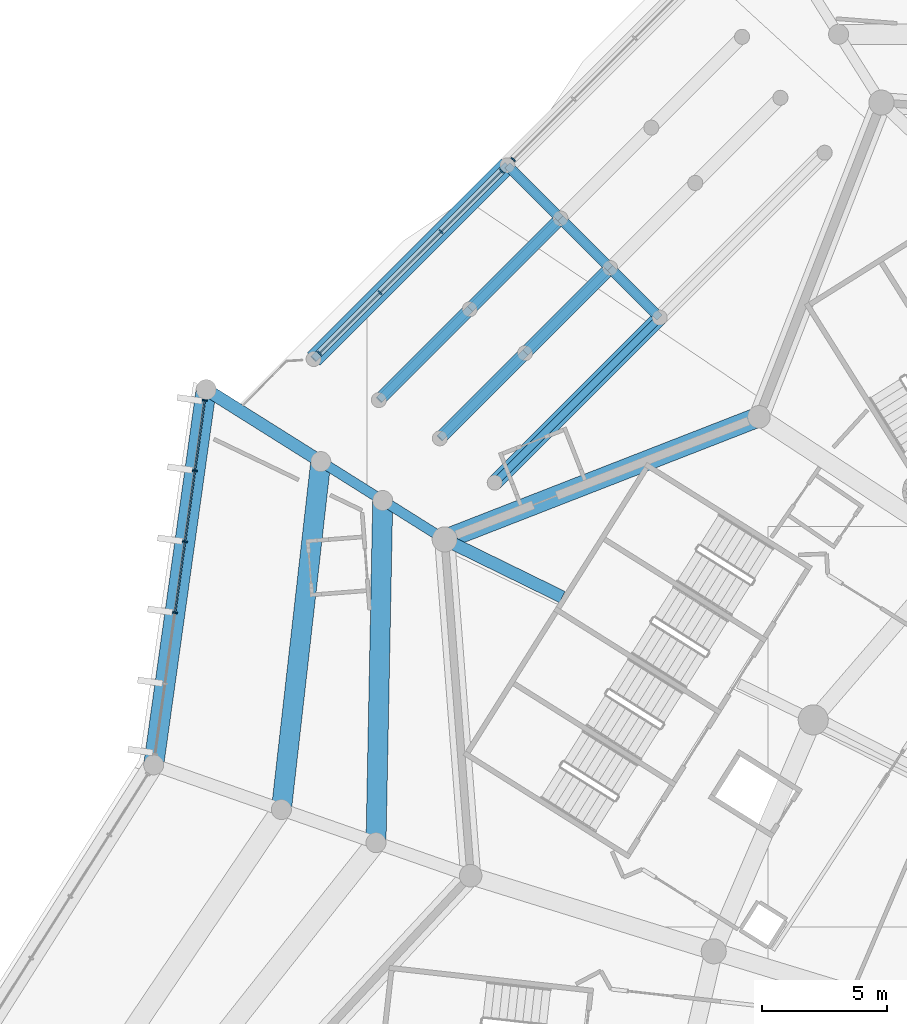
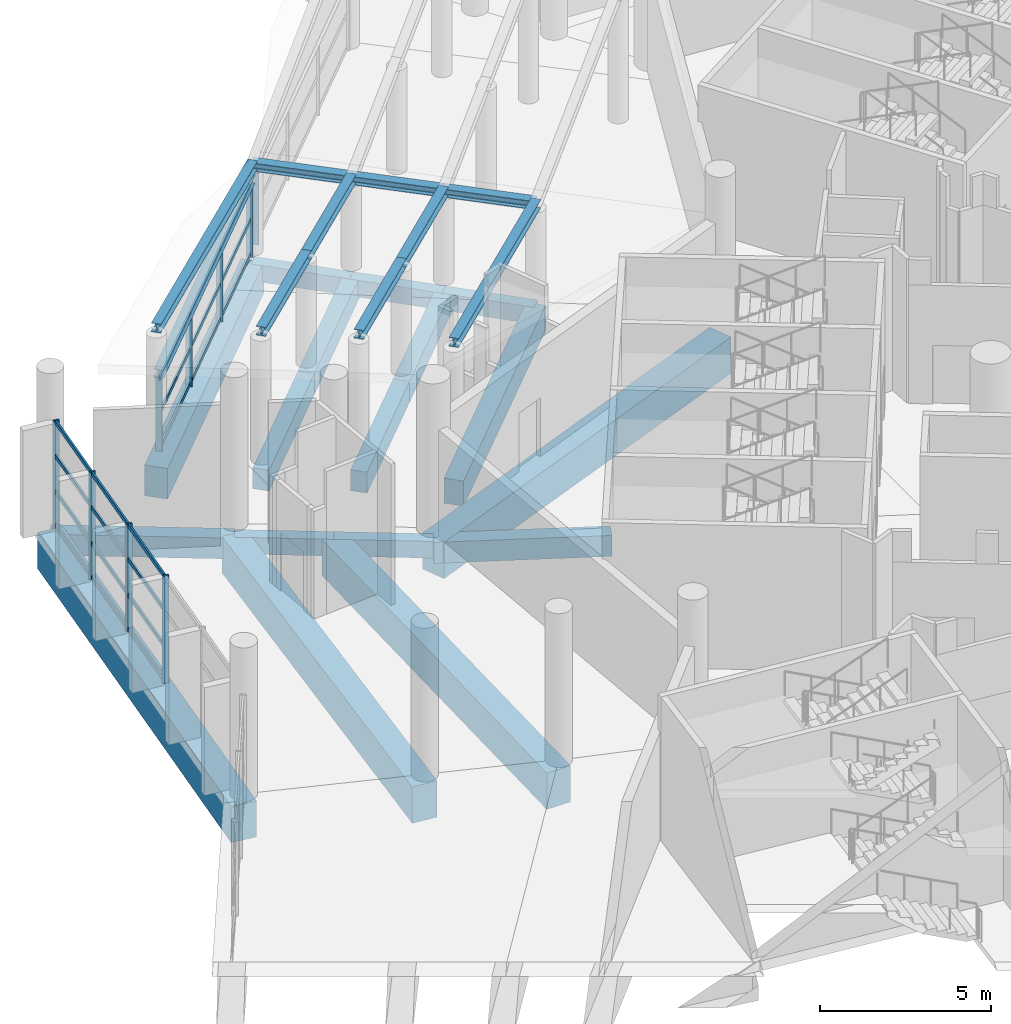
# One storey, part 78 of 271: 30 members, 27 beams, 3 elements without a shape of their own.
"""IFC4 building model written with IfcOpenShell, lengths in metres."""

from ifc_helpers import new_model, si_unit, direction, frame, origin, origin_2d, place, context, subcontext, project, spatial, rectangle, i_section, extrude, material, layer, layer_set, material_profile, profile_set, type_object, element, aggregate, save


model = new_model("IFC4")

# Units and contexts
model_context = context("Model", 3, precision=1e-05, world=origin(), true_north=direction((0.0, 1.0)))
body_context = subcontext(model_context, "Body", "Model", "MODEL_VIEW")
ifc_project = project(units=[si_unit("LENGTHUNIT", "METRE"), si_unit("AREAUNIT", "SQUARE_METRE"), si_unit("VOLUMEUNIT", "CUBIC_METRE"), si_unit("PLANEANGLEUNIT", "RADIAN"), si_unit("MASSUNIT", "GRAM", prefix="KILO")], contexts=[model_context])

# Site, building, storey
site_placement = place(None, origin())
site = spatial("IfcSite", under=ifc_project, at=site_placement, CompositionType="ELEMENT")
building_placement = place(site_placement, origin())
building = spatial("IfcBuilding", under=site, at=building_placement, Name="Meseta Stadium", CompositionType="ELEMENT")
storey_placement = place(building_placement, frame((0.0, 0.0, 6.5)))
storey = spatial("IfcBuildingStorey", under=building, at=storey_placement, Name="L01", CompositionType="ELEMENT", Elevation=6.5)

# Beams
ifc_material_1 = material(Name="Steel S355", Category="steel")
ifc_material_profile_1 = material_profile(ifc_material_1, i_section(OverallWidth=0.300048828125, OverallDepth=0.300048828125, WebThickness=0.010986328125, FlangeThickness=0.01904296875, FilletRadius=0.027099609375, at=origin_2d()), Name="HEB 300")
ifc_profile_set_1 = profile_set([ifc_material_profile_1], Name="Steel S355")
beam_type_1 = type_object("IfcBeamType", Name="Gate roof beam HEB 300", PredefinedType="BEAM", material=ifc_profile_set_1)
beam_1_placement = place(storey_placement, frame((-84.3251953125, 88.3251953125, 3.256591796875), z_axis=(-0.706965876824, 0.706965876824, -0.019962415018), x_axis=(-0.707106781187, -0.707106781187, 0.0)))
element("IfcBeam", 1, at=beam_1_placement, inside=storey, type_object=beam_type_1, Name="Gate 4 valley beam", PredefinedType="BEAM", context=body_context, shape_type="SweptSolid", body=[
    extrude(i_section(OverallWidth=0.300048828125, OverallDepth=0.300048828125, WebThickness=0.010986328125, FlangeThickness=0.01904296875, FilletRadius=0.027099609375, at=origin_2d()), origin(), (0.0, 0.0, 1.0), 2.80078125),
])
beam_2_placement = place(storey_placement, frame((-86.30517578125, 90.30517578125, 3.20068359375), z_axis=(-0.706964608855, 0.706964608855, -0.020052023682), x_axis=(-0.707106781187, -0.707106781187, 0.0)))
element("IfcBeam", 2, at=beam_2_placement, inside=storey, type_object=beam_type_1, Name="Gate 4 valley beam", PredefinedType="BEAM", context=body_context, shape_type="SweptSolid", body=[
    extrude(i_section(OverallWidth=0.300048828125, OverallDepth=0.300048828125, WebThickness=0.010986328125, FlangeThickness=0.01904296875, FilletRadius=0.027099609375, at=origin_2d()), origin(), (0.0, 0.0, 1.0), 2.80029296875),
])
beam_3_placement = place(storey_placement, frame((-88.284912109375, 92.284912109375, 3.14453125), z_axis=(-0.706966277368, 0.706966277368, -0.019934024394), x_axis=(-0.707106781187, -0.707106781187, 0.0)))
element("IfcBeam", 3, at=beam_3_placement, inside=storey, type_object=beam_type_1, Name="Gate 4 valley beam", PredefinedType="BEAM", context=body_context, shape_type="SweptSolid", body=[
    extrude(i_section(OverallWidth=0.300048828125, OverallDepth=0.300048828125, WebThickness=0.010986328125, FlangeThickness=0.01904296875, FilletRadius=0.027099609375, at=origin_2d()), origin(), (0.0, 0.0, 1.0), 3.000732421875),
])
beam_4_placement = place(storey_placement, frame((-90.618408203125, 94.194091796875, 2.774658203125), z_axis=(-0.707118593961, -0.707094968215, 0.0), x_axis=(0.707094968215, -0.707118593961, 0.0)))
element("IfcBeam", 4, at=beam_4_placement, inside=storey, type_object=beam_type_1, Name="Gate 4 head beam", PredefinedType="BEAM", context=body_context, shape_type="SweptSolid", body=[
    extrude(i_section(OverallWidth=0.300048828125, OverallDepth=0.300048828125, WebThickness=0.010986328125, FlangeThickness=0.01904296875, FilletRadius=0.027099609375, at=origin_2d()), origin(), (0.0, 0.0, 1.0), 10.333740234375),
])
ifc_material_2 = material(Name="Steel S355", Category="steel")
ifc_material_profile_2 = material_profile(ifc_material_2, i_section(OverallWidth=0.300048828125, OverallDepth=0.300048828125, WebThickness=0.010986328125, FlangeThickness=0.01904296875, FilletRadius=0.027099609375, at=origin_2d()), Name="HEB 300")
ifc_profile_set_2 = profile_set([ifc_material_profile_2], Name="Steel S355")
beam_type_2 = type_object("IfcBeamType", Name="Gate roof beam HEB 300 rafter", PredefinedType="BEAM", material=ifc_profile_set_2)
beam_5_placement = place(storey_placement, frame((-84.3251953125, 88.3251953125, 3.256591796875), z_axis=(-0.700277353695, -0.700277353695, 0.138647956366), x_axis=(0.707106781187, -0.707106781187, 0.0)))
element("IfcBeam", 5, at=beam_5_placement, inside=storey, type_object=beam_type_2, Name="Gate 4 roof rafter", PredefinedType="BEAM", context=body_context, shape_type="SweptSolid", body=[
    extrude(i_section(OverallWidth=0.300048828125, OverallDepth=0.300048828125, WebThickness=0.010986328125, FlangeThickness=0.01904296875, FilletRadius=0.027099609375, at=origin_2d()), origin(), (0.0, 0.0, 1.0), 9.4013671875),
])
for number, where, z_axis, x_axis, name in (
    (6, (-86.30517578125, 90.30517578125, 3.20068359375), (-0.700253799014, -0.700304119063, 0.138631734427), (0.707132186068, -0.707081375392, 0.0), "Gate 4 roof rafter"),
    (7, (-89.70263671875, 86.907470703125, 3.873291015625), (-0.700304119063, -0.700253799014, 0.138631734427), (0.707081375392, -0.707132186068, 0.0), "Gate 4 roof rafter"),
):
    element("IfcBeam", number, at=place(storey_placement, frame(where, z_axis=z_axis, x_axis=x_axis)), inside=storey, type_object=beam_type_2, Name=name, PredefinedType="BEAM", context=body_context, shape_type="SweptSolid", body=[
        extrude(i_section(OverallWidth=0.300048828125, OverallDepth=0.300048828125, WebThickness=0.010986328125, FlangeThickness=0.01904296875, FilletRadius=0.027099609375, at=origin_2d()), origin(), (0.0, 0.0, 1.0), 4.851806640625),
    ])
for number, where, z_axis, x_axis, name in (
    (8, (-88.284912109375, 92.284912109375, 3.14453125), (-0.700275376823, -0.700275376823, 0.138667924302), (0.707106781187, -0.707106781187, 0.0), "Gate 4 roof rafter"),
    (9, (-91.908447265625, 88.661376953125, 3.862060546875), (-0.700275376823, -0.700275376823, 0.138667924302), (0.707106781187, -0.707106781187, 0.0), "Gate 4 roof rafter"),
):
    element("IfcBeam", number, at=place(storey_placement, frame(where, z_axis=z_axis, x_axis=x_axis)), inside=storey, type_object=beam_type_2, Name=name, PredefinedType="BEAM", context=body_context, shape_type="SweptSolid", body=[
        extrude(i_section(OverallWidth=0.300048828125, OverallDepth=0.300048828125, WebThickness=0.010986328125, FlangeThickness=0.01904296875, FilletRadius=0.027099609375, at=origin_2d()), origin(), (0.0, 0.0, 1.0), 5.174560546875),
    ])
beam_6_placement = place(storey_placement, frame((-90.40625, 94.40625, 3.084716796875), z_axis=(-0.700288088854, -0.700265975424, 0.138651203648), x_axis=(0.707095616548, -0.707117945649, 0.0)))
element("IfcBeam", 10, at=beam_6_placement, inside=storey, type_object=beam_type_2, Name="Gate 4 roof rafter", PredefinedType="BEAM", context=body_context, shape_type="SweptSolid", body=[
    extrude(i_section(OverallWidth=0.300048828125, OverallDepth=0.300048828125, WebThickness=0.010986328125, FlangeThickness=0.01904296875, FilletRadius=0.027099609375, at=origin_2d()), origin(), (0.0, 0.0, 1.0), 11.040283203125),
])
ifc_material_3 = material(Name="Concrete C40/50", Category="concrete")
ifc_material_profile_3 = material_profile(ifc_material_3, rectangle(XDim=0.39990234375, YDim=0.60009765625, at=origin_2d()), Name="RC 400x600")
ifc_profile_set_3 = profile_set([ifc_material_profile_3], Name="Concrete C40/50")
beam_type_3 = type_object("IfcBeamType", Name="RC beam 400x600", PredefinedType="BEAM", material=ifc_profile_set_3)
beam_7_placement = place(storey_placement, frame((-92.908447265625, 79.474609375, -0.64990234375), z_axis=(-0.846736663206, 0.532012239693, 0.0), x_axis=(-0.532012239693, -0.846736663206, 0.0)))
element("IfcBeam", 11, at=beam_7_placement, inside=storey, type_object=beam_type_3, Name="L01 radial beam frame 26 line R to M", PredefinedType="BEAM", context=body_context, shape_type="SweptSolid", body=[
    extrude(rectangle(XDim=0.39990234375, YDim=0.60009765625, at=origin_2d()), origin(), (0.0, 0.0, 1.0), 2.9189453125),
])
beam_8_placement = place(storey_placement, frame((-95.380126953125, 81.027587890625, -0.64990234375), z_axis=(-0.846698986635, 0.532072200017, 0.0), x_axis=(-0.532072200017, -0.846698986635, 0.0)))
element("IfcBeam", 12, at=beam_8_placement, inside=storey, type_object=beam_type_3, Name="L01 radial beam frame 26 line M to Q", PredefinedType="BEAM", context=body_context, shape_type="SweptSolid", body=[
    extrude(rectangle(XDim=0.39990234375, YDim=0.60009765625, at=origin_2d()), origin(), (0.0, 0.0, 1.0), 2.919189453125),
])
beam_9_placement = place(storey_placement, frame((-84.3251953125, 88.3251953125, -0.64990234375), z_axis=(-0.707106781187, 0.707106781187, 0.0), x_axis=(-0.707106781187, -0.707106781187, 0.0)))
element("IfcBeam", 13, at=beam_9_placement, inside=storey, type_object=beam_type_3, Name="Gate 4 floor beam", PredefinedType="BEAM", context=body_context, shape_type="SweptSolid", body=[
    extrude(rectangle(XDim=0.39990234375, YDim=0.60009765625, at=origin_2d()), origin(), (0.0, 0.0, 1.0), 2.800048828125),
])
beam_10_placement = place(storey_placement, frame((-86.30517578125, 90.30517578125, -0.64990234375), z_axis=(-0.707106781187, 0.707106781187, 0.0), x_axis=(-0.707106781187, -0.707106781187, 0.0)))
element("IfcBeam", 14, at=beam_10_placement, inside=storey, type_object=beam_type_3, Name="Gate 4 floor beam", PredefinedType="BEAM", context=body_context, shape_type="SweptSolid", body=[
    extrude(rectangle(XDim=0.39990234375, YDim=0.60009765625, at=origin_2d()), origin(), (0.0, 0.0, 1.0), 2.7998046875),
])
beam_11_placement = place(storey_placement, frame((-88.284912109375, 92.284912109375, -0.64990234375), z_axis=(-0.707106781187, 0.707106781187, 0.0), x_axis=(-0.707106781187, -0.707106781187, 0.0)))
element("IfcBeam", 15, at=beam_11_placement, inside=storey, type_object=beam_type_3, Name="Gate 4 floor beam", PredefinedType="BEAM", context=body_context, shape_type="SweptSolid", body=[
    extrude(rectangle(XDim=0.39990234375, YDim=0.60009765625, at=origin_2d()), origin(), (0.0, 0.0, 1.0), 3.0),
])
ifc_material_4 = material(Name="Concrete C40/50", Category="concrete")
ifc_material_profile_4 = material_profile(ifc_material_4, rectangle(XDim=0.5, YDim=0.75, at=origin_2d()), Name="RC 500x750")
ifc_profile_set_4 = profile_set([ifc_material_profile_4], Name="Concrete C40/50")
beam_type_4 = type_object("IfcBeamType", Name="RC beam 500x750", PredefinedType="BEAM", material=ifc_profile_set_4)
beam_12_placement = place(storey_placement, frame((-88.212158203125, 77.175048828125, -0.72509765625), z_axis=(-0.898112763243, 0.439765237939, 0.0), x_axis=(-0.439765237939, -0.898112763243, 0.0)))
element("IfcBeam", 16, at=beam_12_placement, inside=storey, type_object=beam_type_4, Name="L01 radial beam frame 26 line P to R", PredefinedType="BEAM", context=body_context, shape_type="SweptSolid", body=[
    extrude(rectangle(XDim=0.5, YDim=0.75, at=origin_2d()), origin(), (0.0, 0.0, 1.0), 5.22900390625),
])
beam_13_placement = place(storey_placement, frame((-97.851806640625, 82.580810546875, -0.72509765625), z_axis=(-0.846748855747, 0.531992833871, 0.0), x_axis=(-0.531992833871, -0.846748855747, 0.0)))
element("IfcBeam", 17, at=beam_13_placement, inside=storey, type_object=beam_type_4, Name="L01 radial beam frame 26 line Q to O", PredefinedType="BEAM", context=body_context, shape_type="SweptSolid", body=[
    extrude(rectangle(XDim=0.5, YDim=0.75, at=origin_2d()), origin(), (0.0, 0.0, 1.0), 5.400146484375),
])
for number, where, z_axis, x_axis, name in (
    (18, (-86.30517578125, 90.30517578125, -0.72509765625), (-0.707081375392, -0.707132186068, 0.0), (0.707132186068, -0.707081375392, 0.0), "Gate 4 floor beam"),
    (19, (-89.70263671875, 86.907470703125, -0.72509765625), (-0.707132186068, -0.707081375392, 0.0), (0.707081375392, -0.707132186068, 0.0), "Gate 4 floor beam"),
):
    element("IfcBeam", number, at=place(storey_placement, frame(where, z_axis=z_axis, x_axis=x_axis)), inside=storey, type_object=beam_type_4, Name=name, PredefinedType="BEAM", context=body_context, shape_type="SweptSolid", body=[
        extrude(rectangle(XDim=0.5, YDim=0.75, at=origin_2d()), origin(), (0.0, 0.0, 1.0), 4.804931640625),
    ])
for number, where, z_axis, x_axis, name in (
    (20, (-88.284912109375, 92.284912109375, -0.72509765625), (-0.707106781187, -0.707106781187, 0.0), (0.707106781187, -0.707106781187, 0.0), "Gate 4 floor beam"),
    (21, (-91.908447265625, 88.661376953125, -0.72509765625), (-0.707106781187, -0.707106781187, 0.0), (0.707106781187, -0.707106781187, 0.0), "Gate 4 floor beam"),
):
    element("IfcBeam", number, at=place(storey_placement, frame(where, z_axis=z_axis, x_axis=x_axis)), inside=storey, type_object=beam_type_4, Name=name, PredefinedType="BEAM", context=body_context, shape_type="SweptSolid", body=[
        extrude(rectangle(XDim=0.5, YDim=0.75, at=origin_2d()), origin(), (0.0, 0.0, 1.0), 5.12451171875),
    ])
ifc_material_5 = material(Name="Concrete C40/50", Category="concrete")
ifc_material_profile_5 = material_profile(ifc_material_5, rectangle(XDim=0.60009765625, YDim=0.89990234375, at=origin_2d()), Name="RC 600x900")
ifc_profile_set_5 = profile_set([ifc_material_profile_5], Name="Concrete C40/50")
beam_type_5 = type_object("IfcBeamType", Name="RC beam 600x900", PredefinedType="BEAM", material=ifc_profile_set_5)
beam_14_placement = place(storey_placement, frame((-84.3251953125, 88.3251953125, -0.800048828125), z_axis=(-0.707106781187, -0.707106781187, 0.0), x_axis=(0.707106781187, -0.707106781187, 0.0)))
element("IfcBeam", 22, at=beam_14_placement, inside=storey, type_object=beam_type_5, Name="Gate 4 floor beam", PredefinedType="BEAM", context=body_context, shape_type="SweptSolid", body=[
    extrude(rectangle(XDim=0.60009765625, YDim=0.89990234375, at=origin_2d()), origin(), (0.0, 0.0, 1.0), 9.310546875),
])
ifc_material_6 = material(Name="Concrete C40/50", Category="concrete")
ifc_material_profile_6 = material_profile(ifc_material_6, rectangle(XDim=0.699951171875, YDim=1.10009765625, at=origin_2d()), Name="RC 700x1100")
ifc_profile_set_6 = profile_set([ifc_material_profile_6], Name="Concrete C40/50")
beam_type_6 = type_object("IfcBeamType", Name="RC beam 700x1100", PredefinedType="BEAM", material=ifc_profile_set_6)
beam_15_placement = place(storey_placement, frame((-90.40625, 94.40625, -0.89990234375), z_axis=(-0.707117945649, -0.707095616548, 0.0), x_axis=(0.707095616548, -0.707117945649, 0.0)))
element("IfcBeam", 23, at=beam_15_placement, inside=storey, type_object=beam_type_6, Name="Gate 4 floor beam", PredefinedType="BEAM", context=body_context, shape_type="SweptSolid", body=[
    extrude(rectangle(XDim=0.699951171875, YDim=1.10009765625, at=origin_2d()), origin(), (0.0, 0.0, 1.0), 10.933837890625),
])
ifc_material_7 = material(Name="Concrete C40/50", Category="concrete")
ifc_material_profile_7 = material_profile(ifc_material_7, rectangle(XDim=0.800048828125, YDim=1.300048828125, at=origin_2d()), Name="RC 800x1300")
ifc_profile_set_7 = profile_set([ifc_material_profile_7], Name="Concrete C40/50")
beam_type_7 = type_object("IfcBeamType", Name="RC beam 800x1300", PredefinedType="BEAM", material=ifc_profile_set_7)
beam_16_placement = place(storey_placement, frame((-80.365478515625, 84.365478515625, -1.0), z_axis=(-0.93167689837, -0.363287980868, 0.0), x_axis=(0.363287980868, -0.93167689837, 0.0)))
element("IfcBeam", 24, at=beam_16_placement, inside=storey, type_object=beam_type_7, Name="L01 ring beam frame 25 line R", PredefinedType="BEAM", context=body_context, shape_type="SweptSolid", body=[
    extrude(rectangle(XDim=0.800048828125, YDim=1.300048828125, at=origin_2d()), origin(), (0.0, 0.0, 1.0), 13.462890625),
])
beam_17_placement = place(storey_placement, frame((-95.380126953125, 81.027587890625, -1.0), z_axis=(-0.019627900499, -0.999807354205, 0.0), x_axis=(0.999807354205, -0.019627900499, 0.0)))
element("IfcBeam", 25, at=beam_17_placement, inside=storey, type_object=beam_type_7, Name="L01 ring beam frame 26 line M", PredefinedType="BEAM", context=body_context, shape_type="SweptSolid", body=[
    extrude(rectangle(XDim=0.800048828125, YDim=1.300048828125, at=origin_2d()), origin(), (0.0, 0.0, 1.0), 13.657470703125),
])
beam_18_placement = place(storey_placement, frame((-97.851806640625, 82.580810546875, -1.0), z_axis=(-0.112482832054, -0.993653668283, 0.0), x_axis=(0.993653668283, -0.112482832054, 0.0)))
element("IfcBeam", 26, at=beam_18_placement, inside=storey, type_object=beam_type_7, Name="L01 ring beam frame 26 line Q", PredefinedType="BEAM", context=body_context, shape_type="SweptSolid", body=[
    extrude(rectangle(XDim=0.800048828125, YDim=1.300048828125, at=origin_2d()), origin(), (0.0, 0.0, 1.0), 13.9755859375),
])
beam_19_placement = place(storey_placement, frame((-102.42431640625, 85.45361328125, -1.0), z_axis=(-0.138631693814, -0.990344007641, 0.0), x_axis=(0.990344007641, -0.138631693814, 0.0)))
element("IfcBeam", 27, at=beam_19_placement, inside=storey, type_object=beam_type_7, Name="L01 ring beam frame 26 line O", PredefinedType="BEAM", context=body_context, shape_type="SweptSolid", body=[
    extrude(rectangle(XDim=0.800048828125, YDim=1.300048828125, at=origin_2d()), origin(), (0.0, 0.0, 1.0), 15.122314453125),
])

# Curtain wall, members
ifc_material_8 = material(Name="Aluminium", Category="aluminium")
ifc_layer_1 = layer(ifc_material_8, 0.199951171875)
ifc_layer_set_1 = layer_set([ifc_layer_1], Name="Ring shopfront curtain wall")
curtain_wall_type_1 = type_object("IfcCurtainWallType", Name="Ring shopfront curtain wall", PredefinedType="NOTDEFINED", material=ifc_layer_set_1)
curtain_wall_1_placement = place(storey_placement, origin())
curtain_wall_1 = element("IfcCurtainWall", 28, at=curtain_wall_1_placement, inside=storey, type_object=curtain_wall_type_1, Name="Ring glazing L01 F26", PredefinedType="NOTDEFINED")
ifc_material_9 = material(Name="Aluminium", Category="aluminium")
ifc_material_profile_8 = material_profile(ifc_material_9, rectangle(XDim=0.199951171875, YDim=0.06005859375, at=origin_2d()), Name="CW 200x60")
ifc_profile_set_8 = profile_set([ifc_material_profile_8], Name="Aluminium")
member_type_1 = type_object("IfcMemberType", Name="Ring CW mullion 60x200", PredefinedType="MULLION", material=ifc_profile_set_8)
member_1_placement = place(storey_placement, frame((-102.483642578125, 85.02783203125, 0.0), z_axis=(0.0, 0.0, 1.0), x_axis=(0.990342456098, -0.13864277713, 0.0)))
member_1 = element("IfcMember", 29, at=member_1_placement, type_object=member_type_1, Name="CWR1 mullion 1", PredefinedType="MULLION", context=body_context, shape_type="SweptSolid", body=[
    extrude(rectangle(XDim=0.199951171875, YDim=0.06005859375, at=origin_2d()), origin(), (0.0, 0.0, 1.0), 3.85009765625),
])
member_2_placement = place(storey_placement, frame((-102.876708984375, 82.220703125, 0.0), z_axis=(0.0, 0.0, 1.0), x_axis=(0.990342456098, -0.13864277713, 0.0)))
member_2 = element("IfcMember", 30, at=member_2_placement, type_object=member_type_1, Name="CWR1 mullion 2", PredefinedType="MULLION", context=body_context, shape_type="SweptSolid", body=[
    extrude(rectangle(XDim=0.199951171875, YDim=0.06005859375, at=origin_2d()), origin(), (0.0, 0.0, 1.0), 3.85009765625),
])
member_3_placement = place(storey_placement, frame((-103.27392578125, 79.3837890625, 0.0), z_axis=(0.0, 0.0, 1.0), x_axis=(0.990342456098, -0.13864277713, 0.0)))
member_3 = element("IfcMember", 31, at=member_3_placement, type_object=member_type_1, Name="CWR1 mullion 3", PredefinedType="MULLION", context=body_context, shape_type="SweptSolid", body=[
    extrude(rectangle(XDim=0.199951171875, YDim=0.06005859375, at=origin_2d()), origin(), (0.0, 0.0, 1.0), 3.85009765625),
])
member_4_placement = place(storey_placement, frame((-103.6708984375, 76.547119140625, 0.0), z_axis=(0.0, 0.0, 1.0), x_axis=(0.990342456098, -0.13864277713, 0.0)))
member_4 = element("IfcMember", 32, at=member_4_placement, type_object=member_type_1, Name="CWR1 mullion 4", PredefinedType="MULLION", context=body_context, shape_type="SweptSolid", body=[
    extrude(rectangle(XDim=0.199951171875, YDim=0.06005859375, at=origin_2d()), origin(), (0.0, 0.0, 1.0), 3.85009765625),
])

# Curtain wall, member
ifc_material_10 = material(Name="Aluminium", Category="aluminium")
ifc_layer_2 = layer(ifc_material_10, 0.199951171875)
ifc_layer_set_2 = layer_set([ifc_layer_2], Name="Gate hall curtain wall")
curtain_wall_type_2 = type_object("IfcCurtainWallType", Name="Gate hall curtain wall", PredefinedType="NOTDEFINED", material=ifc_layer_set_2)
curtain_wall_2_placement = place(storey_placement, origin())
curtain_wall_2 = element("IfcCurtainWall", 33, at=curtain_wall_2_placement, inside=storey, type_object=curtain_wall_type_2, Name="Gate 4 hall glazing", PredefinedType="NOTDEFINED")
member_5_placement = place(storey_placement, frame((-90.173095703125, 94.6396484375, 0.0), z_axis=(0.0, 0.0, 1.0), x_axis=(-0.707111619692, 0.707101942648, 0.0)))
member_5 = element("IfcMember", 34, at=member_5_placement, type_object=member_type_1, Name="CWG1 mullion 1", PredefinedType="MULLION", context=body_context, shape_type="SweptSolid", body=[
    extrude(rectangle(XDim=0.199951171875, YDim=0.06005859375, at=origin_2d()), origin(), (0.0, 0.0, 1.0), 2.62451171875),
])
aggregate(curtain_wall_2, [member_5])

# Curtain wall, members
curtain_wall_3_placement = place(storey_placement, origin())
curtain_wall_3 = element("IfcCurtainWall", 35, at=curtain_wall_3_placement, inside=storey, type_object=curtain_wall_type_2, Name="Gate 4 hall glazing", PredefinedType="NOTDEFINED")
member_6_placement = place(storey_placement, frame((-97.904296875, 86.908447265625, 0.0), z_axis=(0.0, 0.0, 1.0), x_axis=(-0.707101942648, 0.707111619692, 0.0)))
member_6 = element("IfcMember", 36, at=member_6_placement, type_object=member_type_1, Name="CWG1 mullion 1", PredefinedType="MULLION", context=body_context, shape_type="SweptSolid", body=[
    extrude(rectangle(XDim=0.199951171875, YDim=0.06005859375, at=origin_2d()), origin(), (0.0, 0.0, 1.0), 2.62451171875),
])
member_7_placement = place(storey_placement, frame((-95.48974609375, 89.32275390625, 0.0), z_axis=(0.0, 0.0, 1.0), x_axis=(-0.707101942648, 0.707111619692, 0.0)))
member_7 = element("IfcMember", 37, at=member_7_placement, type_object=member_type_1, Name="CWG1 mullion 2", PredefinedType="MULLION", context=body_context, shape_type="SweptSolid", body=[
    extrude(rectangle(XDim=0.199951171875, YDim=0.06005859375, at=origin_2d()), origin(), (0.0, 0.0, 1.0), 2.62451171875),
])
member_8_placement = place(storey_placement, frame((-93.05419921875, 91.758544921875, 0.0), z_axis=(0.0, 0.0, 1.0), x_axis=(-0.707101942648, 0.707111619692, 0.0)))
member_8 = element("IfcMember", 38, at=member_8_placement, type_object=member_type_1, Name="CWG1 mullion 3", PredefinedType="MULLION", context=body_context, shape_type="SweptSolid", body=[
    extrude(rectangle(XDim=0.199951171875, YDim=0.06005859375, at=origin_2d()), origin(), (0.0, 0.0, 1.0), 2.62451171875),
])
member_9_placement = place(storey_placement, frame((-90.6396484375, 94.173095703125, 0.0), z_axis=(0.0, 0.0, 1.0), x_axis=(-0.707101942648, 0.707111619692, 0.0)))
member_9 = element("IfcMember", 39, at=member_9_placement, type_object=member_type_1, Name="CWG1 mullion 4", PredefinedType="MULLION", context=body_context, shape_type="SweptSolid", body=[
    extrude(rectangle(XDim=0.199951171875, YDim=0.06005859375, at=origin_2d()), origin(), (0.0, 0.0, 1.0), 2.62451171875),
])

# Member
ifc_material_11 = material(Name="Aluminium", Category="aluminium")
ifc_material_profile_9 = material_profile(ifc_material_11, rectangle(XDim=0.06005859375, YDim=0.14990234375, at=origin_2d()), Name="CW 60x150")
ifc_profile_set_9 = profile_set([ifc_material_profile_9], Name="Aluminium")
member_type_2 = type_object("IfcMemberType", Name="Ring CW transom 60x150", PredefinedType="USERDEFINED", material=ifc_profile_set_9)
member_10_placement = place(storey_placement, frame((-102.488037109375, 84.998046875, 0.074951171875), z_axis=(-0.13859951186, -0.990348512046, 0.0), x_axis=(0.990348512046, -0.13859951186, 0.0)))
member_10 = element("IfcMember", 40, at=member_10_placement, type_object=member_type_2, Name="CWR1 transom 1.1", ObjectType="TRANSOM", PredefinedType="USERDEFINED", context=body_context, shape_type="SweptSolid", body=[
    extrude(rectangle(XDim=0.06005859375, YDim=0.14990234375, at=origin_2d()), origin(), (0.0, 0.0, 1.0), 2.7744140625),
])

member_11_placement = place(storey_placement, frame((-102.488037109375, 84.998046875, 1.283447265625), z_axis=(-0.13859951186, -0.990348512046, 0.0), x_axis=(0.990348512046, -0.13859951186, 0.0)))
member_11 = element("IfcMember", 41, at=member_11_placement, type_object=member_type_2, Name="CWR1 transom 1.2", ObjectType="TRANSOM", PredefinedType="USERDEFINED", context=body_context, shape_type="SweptSolid", body=[
    extrude(rectangle(XDim=0.06005859375, YDim=0.14990234375, at=origin_2d()), origin(), (0.0, 0.0, 1.0), 2.7744140625),
])

member_12_placement = place(storey_placement, frame((-102.488037109375, 84.998046875, 2.566650390625), z_axis=(-0.13859951186, -0.990348512046, 0.0), x_axis=(0.990348512046, -0.13859951186, 0.0)))
member_12 = element("IfcMember", 42, at=member_12_placement, type_object=member_type_2, Name="CWR1 transom 1.3", ObjectType="TRANSOM", PredefinedType="USERDEFINED", context=body_context, shape_type="SweptSolid", body=[
    extrude(rectangle(XDim=0.06005859375, YDim=0.14990234375, at=origin_2d()), origin(), (0.0, 0.0, 1.0), 2.7744140625),
])

member_13_placement = place(storey_placement, frame((-102.488037109375, 84.998046875, 3.77490234375), z_axis=(-0.13859951186, -0.990348512046, 0.0), x_axis=(0.990348512046, -0.13859951186, 0.0)))
member_13 = element("IfcMember", 43, at=member_13_placement, type_object=member_type_2, Name="CWR1 transom 1.4", ObjectType="TRANSOM", PredefinedType="USERDEFINED", context=body_context, shape_type="SweptSolid", body=[
    extrude(rectangle(XDim=0.06005859375, YDim=0.14990234375, at=origin_2d()), origin(), (0.0, 0.0, 1.0), 2.7744140625),
])

member_14_placement = place(storey_placement, frame((-102.880859375, 82.19091796875, 0.074951171875), z_axis=(-0.138678581808, -0.99033744297, 0.0), x_axis=(0.99033744297, -0.138678581808, 0.0)))
member_14 = element("IfcMember", 44, at=member_14_placement, type_object=member_type_2, Name="CWR1 transom 2.1", ObjectType="TRANSOM", PredefinedType="USERDEFINED", context=body_context, shape_type="SweptSolid", body=[
    extrude(rectangle(XDim=0.06005859375, YDim=0.14990234375, at=origin_2d()), origin(), (0.0, 0.0, 1.0), 2.804443359375),
])

member_15_placement = place(storey_placement, frame((-102.880859375, 82.19091796875, 1.283447265625), z_axis=(-0.138678581808, -0.99033744297, 0.0), x_axis=(0.99033744297, -0.138678581808, 0.0)))
member_15 = element("IfcMember", 45, at=member_15_placement, type_object=member_type_2, Name="CWR1 transom 2.2", ObjectType="TRANSOM", PredefinedType="USERDEFINED", context=body_context, shape_type="SweptSolid", body=[
    extrude(rectangle(XDim=0.06005859375, YDim=0.14990234375, at=origin_2d()), origin(), (0.0, 0.0, 1.0), 2.804443359375),
])

member_16_placement = place(storey_placement, frame((-102.880859375, 82.19091796875, 2.566650390625), z_axis=(-0.138678581808, -0.99033744297, 0.0), x_axis=(0.99033744297, -0.138678581808, 0.0)))
member_16 = element("IfcMember", 46, at=member_16_placement, type_object=member_type_2, Name="CWR1 transom 2.3", ObjectType="TRANSOM", PredefinedType="USERDEFINED", context=body_context, shape_type="SweptSolid", body=[
    extrude(rectangle(XDim=0.06005859375, YDim=0.14990234375, at=origin_2d()), origin(), (0.0, 0.0, 1.0), 2.804443359375),
])

member_17_placement = place(storey_placement, frame((-102.880859375, 82.19091796875, 3.77490234375), z_axis=(-0.138678581808, -0.99033744297, 0.0), x_axis=(0.99033744297, -0.138678581808, 0.0)))
member_17 = element("IfcMember", 47, at=member_17_placement, type_object=member_type_2, Name="CWR1 transom 2.4", ObjectType="TRANSOM", PredefinedType="USERDEFINED", context=body_context, shape_type="SweptSolid", body=[
    extrude(rectangle(XDim=0.06005859375, YDim=0.14990234375, at=origin_2d()), origin(), (0.0, 0.0, 1.0), 2.804443359375),
])

member_18_placement = place(storey_placement, frame((-103.278076171875, 79.354248046875, 0.074951171875), z_axis=(-0.138581251587, -0.990351067404, 0.0), x_axis=(0.990351067404, -0.138581251587, 0.0)))
member_18 = element("IfcMember", 48, at=member_18_placement, type_object=member_type_2, Name="CWR1 transom 3.1", ObjectType="TRANSOM", PredefinedType="USERDEFINED", context=body_context, shape_type="SweptSolid", body=[
    extrude(rectangle(XDim=0.06005859375, YDim=0.14990234375, at=origin_2d()), origin(), (0.0, 0.0, 1.0), 2.8046875),
])

member_19_placement = place(storey_placement, frame((-103.278076171875, 79.354248046875, 1.283447265625), z_axis=(-0.138581251587, -0.990351067404, 0.0), x_axis=(0.990351067404, -0.138581251587, 0.0)))
member_19 = element("IfcMember", 49, at=member_19_placement, type_object=member_type_2, Name="CWR1 transom 3.2", ObjectType="TRANSOM", PredefinedType="USERDEFINED", context=body_context, shape_type="SweptSolid", body=[
    extrude(rectangle(XDim=0.06005859375, YDim=0.14990234375, at=origin_2d()), origin(), (0.0, 0.0, 1.0), 2.8046875),
])

member_20_placement = place(storey_placement, frame((-103.278076171875, 79.354248046875, 2.566650390625), z_axis=(-0.138581251587, -0.990351067404, 0.0), x_axis=(0.990351067404, -0.138581251587, 0.0)))
member_20 = element("IfcMember", 50, at=member_20_placement, type_object=member_type_2, Name="CWR1 transom 3.3", ObjectType="TRANSOM", PredefinedType="USERDEFINED", context=body_context, shape_type="SweptSolid", body=[
    extrude(rectangle(XDim=0.06005859375, YDim=0.14990234375, at=origin_2d()), origin(), (0.0, 0.0, 1.0), 2.8046875),
])

member_21_placement = place(storey_placement, frame((-103.278076171875, 79.354248046875, 3.77490234375), z_axis=(-0.138581251587, -0.990351067404, 0.0), x_axis=(0.990351067404, -0.138581251587, 0.0)))
member_21 = element("IfcMember", 51, at=member_21_placement, type_object=member_type_2, Name="CWR1 transom 3.4", ObjectType="TRANSOM", PredefinedType="USERDEFINED", context=body_context, shape_type="SweptSolid", body=[
    extrude(rectangle(XDim=0.06005859375, YDim=0.14990234375, at=origin_2d()), origin(), (0.0, 0.0, 1.0), 2.8046875),
])

aggregate(curtain_wall_1, [member_1, member_2, member_3, member_4, member_10, member_11, member_12, member_13, member_14, member_15, member_16, member_17, member_18, member_19, member_20, member_21])

member_22_placement = place(storey_placement, frame((-97.883056640625, 86.9296875, 0.074951171875), z_axis=(0.707106781187, 0.707106781187, 0.0), x_axis=(-0.707106781187, 0.707106781187, 0.0)))
member_22 = element("IfcMember", 52, at=member_22_placement, type_object=member_type_2, Name="CWG1 transom 1.1", ObjectType="TRANSOM", PredefinedType="USERDEFINED", context=body_context, shape_type="SweptSolid", body=[
    extrude(rectangle(XDim=0.06005859375, YDim=0.14990234375, at=origin_2d()), origin(), (0.0, 0.0, 1.0), 3.3544921875),
])

member_23_placement = place(storey_placement, frame((-97.883056640625, 86.9296875, 1.312255859375), z_axis=(0.707106781187, 0.707106781187, 0.0), x_axis=(-0.707106781187, 0.707106781187, 0.0)))
member_23 = element("IfcMember", 53, at=member_23_placement, type_object=member_type_2, Name="CWG1 transom 1.2", ObjectType="TRANSOM", PredefinedType="USERDEFINED", context=body_context, shape_type="SweptSolid", body=[
    extrude(rectangle(XDim=0.06005859375, YDim=0.14990234375, at=origin_2d()), origin(), (0.0, 0.0, 1.0), 3.3544921875),
])

member_24_placement = place(storey_placement, frame((-97.883056640625, 86.9296875, 2.549560546875), z_axis=(0.707106781187, 0.707106781187, 0.0), x_axis=(-0.707106781187, 0.707106781187, 0.0)))
member_24 = element("IfcMember", 54, at=member_24_placement, type_object=member_type_2, Name="CWG1 transom 1.3", ObjectType="TRANSOM", PredefinedType="USERDEFINED", context=body_context, shape_type="SweptSolid", body=[
    extrude(rectangle(XDim=0.06005859375, YDim=0.14990234375, at=origin_2d()), origin(), (0.0, 0.0, 1.0), 3.3544921875),
])

member_25_placement = place(storey_placement, frame((-95.468505859375, 89.343994140625, 0.074951171875), z_axis=(0.707106781187, 0.707106781187, 0.0), x_axis=(-0.707106781187, 0.707106781187, 0.0)))
member_25 = element("IfcMember", 55, at=member_25_placement, type_object=member_type_2, Name="CWG1 transom 2.1", ObjectType="TRANSOM", PredefinedType="USERDEFINED", context=body_context, shape_type="SweptSolid", body=[
    extrude(rectangle(XDim=0.06005859375, YDim=0.14990234375, at=origin_2d()), origin(), (0.0, 0.0, 1.0), 3.384765625),
])

member_26_placement = place(storey_placement, frame((-95.468505859375, 89.343994140625, 1.312255859375), z_axis=(0.707106781187, 0.707106781187, 0.0), x_axis=(-0.707106781187, 0.707106781187, 0.0)))
member_26 = element("IfcMember", 56, at=member_26_placement, type_object=member_type_2, Name="CWG1 transom 2.2", ObjectType="TRANSOM", PredefinedType="USERDEFINED", context=body_context, shape_type="SweptSolid", body=[
    extrude(rectangle(XDim=0.06005859375, YDim=0.14990234375, at=origin_2d()), origin(), (0.0, 0.0, 1.0), 3.384765625),
])

member_27_placement = place(storey_placement, frame((-95.468505859375, 89.343994140625, 2.549560546875), z_axis=(0.707106781187, 0.707106781187, 0.0), x_axis=(-0.707106781187, 0.707106781187, 0.0)))
member_27 = element("IfcMember", 57, at=member_27_placement, type_object=member_type_2, Name="CWG1 transom 2.3", ObjectType="TRANSOM", PredefinedType="USERDEFINED", context=body_context, shape_type="SweptSolid", body=[
    extrude(rectangle(XDim=0.06005859375, YDim=0.14990234375, at=origin_2d()), origin(), (0.0, 0.0, 1.0), 3.384765625),
])

member_28_placement = place(storey_placement, frame((-93.032958984375, 91.77978515625, 0.074951171875), z_axis=(0.707106781187, 0.707106781187, 0.0), x_axis=(-0.707106781187, 0.707106781187, 0.0)))
member_28 = element("IfcMember", 58, at=member_28_placement, type_object=member_type_2, Name="CWG1 transom 3.1", ObjectType="TRANSOM", PredefinedType="USERDEFINED", context=body_context, shape_type="SweptSolid", body=[
    extrude(rectangle(XDim=0.06005859375, YDim=0.14990234375, at=origin_2d()), origin(), (0.0, 0.0, 1.0), 3.3544921875),
])

member_29_placement = place(storey_placement, frame((-93.032958984375, 91.77978515625, 1.312255859375), z_axis=(0.707106781187, 0.707106781187, 0.0), x_axis=(-0.707106781187, 0.707106781187, 0.0)))
member_29 = element("IfcMember", 59, at=member_29_placement, type_object=member_type_2, Name="CWG1 transom 3.2", ObjectType="TRANSOM", PredefinedType="USERDEFINED", context=body_context, shape_type="SweptSolid", body=[
    extrude(rectangle(XDim=0.06005859375, YDim=0.14990234375, at=origin_2d()), origin(), (0.0, 0.0, 1.0), 3.3544921875),
])

member_30_placement = place(storey_placement, frame((-93.032958984375, 91.77978515625, 2.549560546875), z_axis=(0.707106781187, 0.707106781187, 0.0), x_axis=(-0.707106781187, 0.707106781187, 0.0)))
member_30 = element("IfcMember", 60, at=member_30_placement, type_object=member_type_2, Name="CWG1 transom 3.3", ObjectType="TRANSOM", PredefinedType="USERDEFINED", context=body_context, shape_type="SweptSolid", body=[
    extrude(rectangle(XDim=0.06005859375, YDim=0.14990234375, at=origin_2d()), origin(), (0.0, 0.0, 1.0), 3.3544921875),
])

aggregate(curtain_wall_3, [member_6, member_7, member_8, member_9, member_22, member_23, member_24, member_25, member_26, member_27, member_28, member_29, member_30])

save(model, "model.ifc")
